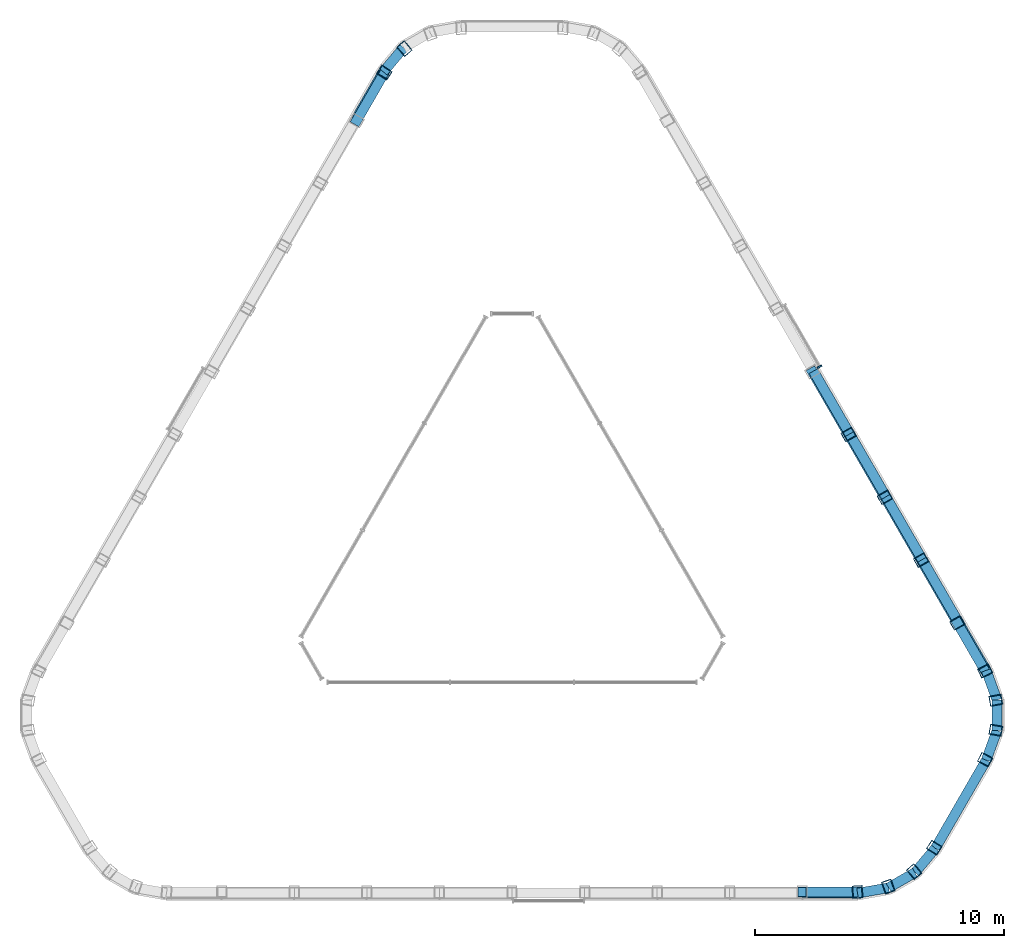
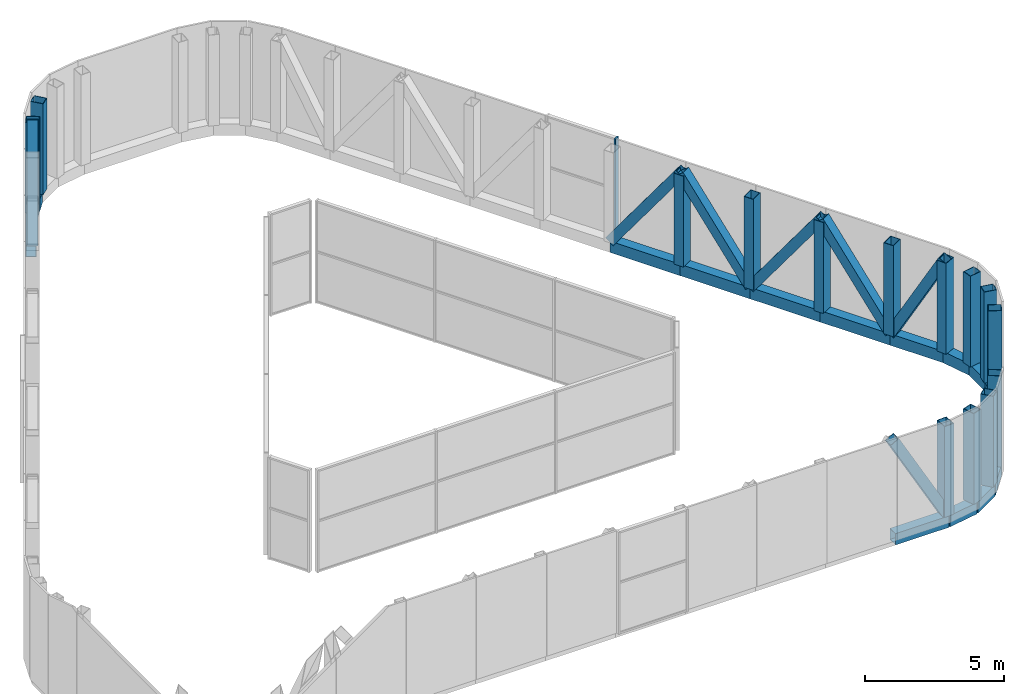
# One storey, part 3 of 5: 37 members, 1 element without a shape of its own.
"""IFC4 building model written with IfcOpenShell, lengths in metres."""

from ifc_helpers import new_model, si_unit, direction, frame, origin, origin_2d, place, context, subcontext, project, spatial, rectangle, hollow_rectangle, extrude, material, layer, layer_set, material_profile, profile_set, type_object, element, aggregate, save


model = new_model("IFC4")

# Units and contexts
model_context = context("Model", 3, precision=1e-05, world=origin(), true_north=direction((0.0, 1.0)))
body_context = subcontext(model_context, "Body", "Model", "MODEL_VIEW")
ifc_project = project(units=[si_unit("LENGTHUNIT", "METRE"), si_unit("AREAUNIT", "SQUARE_METRE"), si_unit("VOLUMEUNIT", "CUBIC_METRE"), si_unit("PLANEANGLEUNIT", "RADIAN"), si_unit("MASSUNIT", "GRAM", prefix="KILO")], contexts=[model_context])

# Site, building, storey
site_placement = place(None, origin())
site = spatial("IfcSite", under=ifc_project, at=site_placement, CompositionType="ELEMENT")
building_placement = place(site_placement, origin())
building = spatial("IfcBuilding", under=site, at=building_placement, Name="Apuvela Tower Hotel", CompositionType="ELEMENT")
storey_placement = place(building_placement, frame((0.0, 0.0, 357.800048828125)))
storey = spatial("IfcBuildingStorey", under=building, at=storey_placement, Name="R-4 ROOF", CompositionType="ELEMENT", Elevation=357.800048828125)

# Members
ifc_material_1 = material(Name="Steel S355, black paint system", Category="steel")
ifc_material_profile_1 = material_profile(ifc_material_1, hollow_rectangle(XDim=0.39990234375, YDim=0.39990234375, WallThickness=0.01611328125, at=origin_2d()), Name="HSS 400x400x16")
ifc_profile_set_1 = profile_set([ifc_material_profile_1], Name="Steel S355, black paint system")
member_type_1 = type_object("IfcMemberType", Name="ENV-CROWN-BRACE-400x400", PredefinedType="BRACE", material=ifc_profile_set_1)
member_1_placement = place(storey_placement, frame((-6.236572265625, 17.050537109375, 0.25), z_axis=(0.242948815269, 0.420705831623, 0.874060911148), x_axis=(-0.865977099567, 0.500083656027, 0.0)))
element("IfcMember", 1, at=member_1_placement, inside=storey, type_object=member_type_1, Name="Crown frame brace 7", PredefinedType="BRACE", context=body_context, shape_type="SweptSolid", body=[
    extrude(hollow_rectangle(XDim=0.39990234375, YDim=0.39990234375, WallThickness=0.01611328125, at=origin_2d()), origin(), (0.0, 0.0, 1.0), 4.576416015625),
])
member_2_placement = place(storey_placement, frame((13.87109375, -13.92626953125, 0.25), z_axis=(-0.485796931429, 0.0, 0.874071702673), x_axis=(0.0, -1.0, 0.0)))
element("IfcMember", 2, at=member_2_placement, inside=storey, type_object=member_type_1, Name="Crown frame brace 33", PredefinedType="BRACE", context=body_context, shape_type="SweptSolid", body=[
    extrude(hollow_rectangle(XDim=0.39990234375, YDim=0.39990234375, WallThickness=0.01611328125, at=origin_2d()), origin(), (0.0, 0.0, 1.0), 4.576171875),
])
member_3_placement = place(storey_placement, frame((17.884521484375, -3.124267578125, 0.25), z_axis=(0.242893162774, -0.420755188842, 0.874052620006), x_axis=(0.866052104262, 0.499953750565, 0.0)))
element("IfcMember", 3, at=member_3_placement, inside=storey, type_object=member_type_1, Name="Crown frame brace 41", PredefinedType="BRACE", context=body_context, shape_type="SweptSolid", body=[
    extrude(hollow_rectangle(XDim=0.39990234375, YDim=0.39990234375, WallThickness=0.01611328125, at=origin_2d()), origin(), (0.0, 0.0, 1.0), 4.576416015625),
])
for number, where, z_axis, x_axis, name in (
    (4, (17.884521484375, -3.124267578125, 0.25), (-0.294284958722, 0.509718917438, 0.80844479606), (-0.866026430432, -0.49999822179, 0.0), "Crown frame brace 42"),
    (5, (14.972412109375, 1.91943359375, 0.25), (0.294292360305, -0.509682392621, 0.808465129315), (0.866005469285, 0.500034525977, 0.0), "Crown frame brace 43"),
    (6, (14.972412109375, 1.91943359375, 0.25), (-0.294292360305, 0.509682392621, 0.808465129315), (-0.866005469285, -0.500034525977, 0.0), "Crown frame brace 44"),
    (7, (12.060302734375, 6.963134765625, 0.25), (0.294284958722, -0.509718917438, 0.80844479606), (0.866026430432, 0.49999822179, 0.0), "Crown frame brace 45"),
):
    element("IfcMember", number, at=place(storey_placement, frame(where, z_axis=z_axis, x_axis=x_axis)), inside=storey, type_object=member_type_1, Name=name, PredefinedType="BRACE", context=body_context, shape_type="SweptSolid", body=[
        extrude(hollow_rectangle(XDim=0.39990234375, YDim=0.39990234375, WallThickness=0.01611328125, at=origin_2d()), origin(), (0.0, 0.0, 1.0), 4.94775390625),
    ])
ifc_material_profile_2 = material_profile(ifc_material_1, hollow_rectangle(XDim=0.39990234375, YDim=0.5, WallThickness=0.02001953125, at=origin_2d()), Name="HSS 500x400x20")
ifc_profile_set_2 = profile_set([ifc_material_profile_2], Name="Steel S355, black paint system")
member_type_2 = type_object("IfcMemberType", Name="ENV-CROWN-POST-500x400", PredefinedType="POST", material=ifc_profile_set_2)
for number, where, z_axis, x_axis, name in (
    (8, (-4.318115234375, 19.9375, 0.25), (0.0, 0.0, 1.0), (-0.763579690807, -0.645713601984, 0.0), "Crown frame post 6"),
    (9, (-5.124755859375, 18.975830078125, 0.25), (0.0, 0.0, 1.0), (-0.553467140498, -0.832871013056, 0.0), "Crown frame post 7"),
    (10, (13.87109375, -13.92626953125, 0.25), (0.0, 0.0, 1.0), (0.998021025631, 0.062881097303, 0.0), "Crown frame post 34"),
    (11, (15.107421875, -13.708251953125, 0.25), (0.0, 0.0, 1.0), (0.940994228291, 0.33842260906, 0.0), "Crown frame post 35"),
    (12, (16.148193359375, -13.107421875, 0.25), (0.0, 0.0, 1.0), (0.763579690807, 0.645713601984, 0.0), "Crown frame post 36"),
    (13, (16.955078125, -12.145751953125, 0.25), (0.0, 0.0, 1.0), (0.535045541825, 0.844823217113, 0.0), "Crown frame post 37"),
    (14, (18.99609375, -8.610595703125, 0.25), (0.0, 0.0, 1.0), (0.464115596815, 0.885774639958, 0.0), "Crown frame post 38"),
    (15, (19.42529296875, -7.43115234375, 0.25), (0.0, 0.0, 1.0), (0.177414537484, 0.984136211045, 0.0), "Crown frame post 39"),
    (16, (19.42529296875, -6.229248046875, 0.25), (0.0, 0.0, 1.0), (-0.177414537484, 0.984136211045, 0.0), "Crown frame post 40"),
    (17, (18.99609375, -5.0498046875, 0.25), (0.0, 0.0, 1.0), (-0.444553885133, 0.895752110359, 0.0), "Crown frame post 41"),
    (18, (17.884521484375, -3.124267578125, 0.25), (0.0, 0.0, 1.0), (-0.5, 0.866025403784, 0.0), "Crown frame post 42"),
    (19, (16.428466796875, -0.602294921875, 0.25), (0.0, 0.0, 1.0), (-0.5, 0.866025403784, 0.0), "Crown frame post 43"),
    (20, (14.972412109375, 1.91943359375, 0.25), (0.0, 0.0, 1.0), (-0.5, 0.866025403784, 0.0), "Crown frame post 44"),
    (21, (13.516357421875, 4.441162109375, 0.25), (0.0, 0.0, 1.0), (-0.5, 0.866025403784, 0.0), "Crown frame post 45"),
):
    element("IfcMember", number, at=place(storey_placement, frame(where, z_axis=z_axis, x_axis=x_axis)), inside=storey, type_object=member_type_2, Name=name, PredefinedType="POST", context=body_context, shape_type="SweptSolid", body=[
        extrude(hollow_rectangle(XDim=0.39990234375, YDim=0.5, WallThickness=0.02001953125, at=origin_2d()), origin(), (0.0, 0.0, 1.0), 4.0),
    ])
ifc_material_profile_3 = material_profile(ifc_material_1, hollow_rectangle(XDim=0.39990234375, YDim=0.5, WallThickness=0.01611328125, at=origin_2d()), Name="HSS 500x400x16")
ifc_profile_set_3 = profile_set([ifc_material_profile_3], Name="Steel S355, black paint system")
member_type_3 = type_object("IfcMemberType", Name="ENV-CROWN-RING-500x400", PredefinedType="STRINGER", material=ifc_profile_set_3)
member_4_placement = place(storey_placement, frame((-4.3505859375, 19.976318359375, 0.0), z_axis=(-0.642830918567, -0.766008100567, 0.0), x_axis=(0.766008100567, -0.642830918567, 0.0)))
element("IfcMember", 22, at=member_4_placement, inside=storey, type_object=member_type_3, Name="Crown frame ring beam 4.6", PredefinedType="STRINGER", context=body_context, shape_type="SweptSolid", body=[
    extrude(hollow_rectangle(XDim=0.39990234375, YDim=0.5, WallThickness=0.01611328125, at=origin_2d()), origin(), (0.0, 0.0, 1.0), 1.2685546875),
])
for number, where, z_axis, x_axis, name in (
    (23, (-5.166015625, 19.004638671875, 0.0), (-0.499941024108, -0.866059450854, 0.0), (0.866059450854, -0.499941024108, 0.0), "Crown frame ring beam 4.7"),
    (24, (11.651611328125, -13.976318359375, 0.0), (1.0, 0.0, 0.0), (0.0, 1.0, 0.0), "Crown frame ring beam 4.33"),
):
    element("IfcMember", number, at=place(storey_placement, frame(where, z_axis=z_axis, x_axis=x_axis)), inside=storey, type_object=member_type_3, Name=name, PredefinedType="STRINGER", context=body_context, shape_type="SweptSolid", body=[
        extrude(hollow_rectangle(XDim=0.39990234375, YDim=0.5, WallThickness=0.01611328125, at=origin_2d()), origin(), (0.0, 0.0, 1.0), 2.223876953125),
    ])
member_5_placement = place(storey_placement, frame((13.87548828125, -13.976318359375, 0.0), z_axis=(0.984783558818, 0.173785333909, 0.0), x_axis=(-0.173785333909, 0.984783558818, 0.0)))
element("IfcMember", 25, at=member_5_placement, inside=storey, type_object=member_type_3, Name="Crown frame ring beam 4.34", PredefinedType="STRINGER", context=body_context, shape_type="SweptSolid", body=[
    extrude(hollow_rectangle(XDim=0.39990234375, YDim=0.5, WallThickness=0.01611328125, at=origin_2d()), origin(), (0.0, 0.0, 1.0), 1.2685546875),
])
member_6_placement = place(storey_placement, frame((15.124755859375, -13.755859375, 0.0), z_axis=(0.866078909804, 0.499907313403, 0.0), x_axis=(-0.499907313403, 0.866078909804, 0.0)))
element("IfcMember", 26, at=member_6_placement, inside=storey, type_object=member_type_3, Name="Crown frame ring beam 4.35", PredefinedType="STRINGER", context=body_context, shape_type="SweptSolid", body=[
    extrude(hollow_rectangle(XDim=0.39990234375, YDim=0.5, WallThickness=0.01611328125, at=origin_2d()), origin(), (0.0, 0.0, 1.0), 1.219482421875),
])
member_7_placement = place(storey_placement, frame((16.180908203125, -13.146240234375, 0.0), z_axis=(0.642717965607, 0.766102876046, 0.0), x_axis=(-0.766102876046, 0.642717965607, 0.0)))
element("IfcMember", 27, at=member_7_placement, inside=storey, type_object=member_type_3, Name="Crown frame ring beam 4.36", PredefinedType="STRINGER", context=body_context, shape_type="SweptSolid", body=[
    extrude(hollow_rectangle(XDim=0.39990234375, YDim=0.5, WallThickness=0.01611328125, at=origin_2d()), origin(), (0.0, 0.0, 1.0), 1.268310546875),
])
member_8_placement = place(storey_placement, frame((16.99609375, -12.174560546875, 0.0), z_axis=(0.500003144135, 0.86602358851, 0.0), x_axis=(-0.86602358851, 0.500003144135, 0.0)))
element("IfcMember", 28, at=member_8_placement, inside=storey, type_object=member_type_3, Name="Crown frame ring beam 4.37", PredefinedType="STRINGER", context=body_context, shape_type="SweptSolid", body=[
    extrude(hollow_rectangle(XDim=0.39990234375, YDim=0.5, WallThickness=0.01611328125, at=origin_2d()), origin(), (0.0, 0.0, 1.0), 4.0908203125),
])
member_9_placement = place(storey_placement, frame((19.04150390625, -8.6318359375, 0.0), z_axis=(0.34203668354, 0.939686600475, 0.0), x_axis=(-0.939686600475, 0.34203668354, 0.0)))
element("IfcMember", 29, at=member_9_placement, inside=storey, type_object=member_type_3, Name="Crown frame ring beam 4.38", PredefinedType="STRINGER", context=body_context, shape_type="SweptSolid", body=[
    extrude(hollow_rectangle(XDim=0.39990234375, YDim=0.5, WallThickness=0.01611328125, at=origin_2d()), origin(), (0.0, 0.0, 1.0), 1.268310546875),
])
member_10_placement = place(storey_placement, frame((19.475341796875, -7.43994140625, 0.0), z_axis=(0.0, 1.0, 0.0), x_axis=(-1.0, 0.0, 0.0)))
element("IfcMember", 30, at=member_10_placement, inside=storey, type_object=member_type_3, Name="Crown frame ring beam 4.39", PredefinedType="STRINGER", context=body_context, shape_type="SweptSolid", body=[
    extrude(hollow_rectangle(XDim=0.39990234375, YDim=0.5, WallThickness=0.01611328125, at=origin_2d()), origin(), (0.0, 0.0, 1.0), 1.219482421875),
])
member_11_placement = place(storey_placement, frame((19.475341796875, -6.220458984375, 0.0), z_axis=(-0.34203668354, 0.939686600475, 0.0), x_axis=(-0.939686600475, -0.34203668354, 0.0)))
element("IfcMember", 31, at=member_11_placement, inside=storey, type_object=member_type_3, Name="Crown frame ring beam 4.40", PredefinedType="STRINGER", context=body_context, shape_type="SweptSolid", body=[
    extrude(hollow_rectangle(XDim=0.39990234375, YDim=0.5, WallThickness=0.01611328125, at=origin_2d()), origin(), (0.0, 0.0, 1.0), 1.268310546875),
])
member_12_placement = place(storey_placement, frame((19.04150390625, -5.028564453125, 0.0), z_axis=(-0.500023359282, 0.866011916877, 0.0), x_axis=(-0.866011916877, -0.500023359282, 0.0)))
element("IfcMember", 32, at=member_12_placement, inside=storey, type_object=member_type_3, Name="Crown frame ring beam 4.41", PredefinedType="STRINGER", context=body_context, shape_type="SweptSolid", body=[
    extrude(hollow_rectangle(XDim=0.39990234375, YDim=0.5, WallThickness=0.01611328125, at=origin_2d()), origin(), (0.0, 0.0, 1.0), 2.22412109375),
])
member_13_placement = place(storey_placement, frame((17.929443359375, -3.1025390625, 0.0), z_axis=(-0.499952204256, 0.866052996912, 0.0), x_axis=(-0.866052996912, -0.499952204256, 0.0)))
element("IfcMember", 33, at=member_13_placement, inside=storey, type_object=member_type_3, Name="Crown frame ring beam 4.42", PredefinedType="STRINGER", context=body_context, shape_type="SweptSolid", body=[
    extrude(hollow_rectangle(XDim=0.39990234375, YDim=0.5, WallThickness=0.01611328125, at=origin_2d()), origin(), (0.0, 0.0, 1.0), 2.912841796875),
])
member_14_placement = place(storey_placement, frame((16.47314453125, -0.579833984375, 0.0), z_axis=(-0.500015065024, 0.866016705814, 0.0), x_axis=(-0.866016705814, -0.500015065024, 0.0)))
element("IfcMember", 34, at=member_14_placement, inside=storey, type_object=member_type_3, Name="Crown frame ring beam 4.43", PredefinedType="STRINGER", context=body_context, shape_type="SweptSolid", body=[
    extrude(hollow_rectangle(XDim=0.39990234375, YDim=0.5, WallThickness=0.01611328125, at=origin_2d()), origin(), (0.0, 0.0, 1.0), 2.9130859375),
])
member_15_placement = place(storey_placement, frame((15.0166015625, 1.94287109375, 0.0), z_axis=(-0.499988496788, 0.866032045065, 0.0), x_axis=(-0.866032045065, -0.499988496788, 0.0)))
element("IfcMember", 35, at=member_15_placement, inside=storey, type_object=member_type_3, Name="Crown frame ring beam 4.44", PredefinedType="STRINGER", context=body_context, shape_type="SweptSolid", body=[
    extrude(hollow_rectangle(XDim=0.39990234375, YDim=0.5, WallThickness=0.01611328125, at=origin_2d()), origin(), (0.0, 0.0, 1.0), 2.91259765625),
])
member_16_placement = place(storey_placement, frame((13.560302734375, 4.46533203125, 0.0), z_axis=(-0.500015065024, 0.866016705814, 0.0), x_axis=(-0.866016705814, -0.500015065024, 0.0)))
element("IfcMember", 36, at=member_16_placement, inside=storey, type_object=member_type_3, Name="Crown frame ring beam 4.45", PredefinedType="STRINGER", context=body_context, shape_type="SweptSolid", body=[
    extrude(hollow_rectangle(XDim=0.39990234375, YDim=0.5, WallThickness=0.01611328125, at=origin_2d()), origin(), (0.0, 0.0, 1.0), 2.9130859375),
])

# Curtain wall, member
ifc_material_2 = material(Name="Aluminium 6063-T6, dark bronze anodised", Category="aluminium")
ifc_layer = layer(ifc_material_2, 0.199951171875)
ifc_layer_set = layer_set([ifc_layer], Name="ENV-CW-C")
curtain_wall_type = type_object("IfcCurtainWallType", Name="ENV-CW-C", PredefinedType="NOTDEFINED", material=ifc_layer_set)
curtain_wall_placement = place(storey_placement, origin())
curtain_wall = element("IfcCurtainWall", 37, at=curtain_wall_placement, inside=storey, type_object=curtain_wall_type, Name="Crown glazing 46 R-4 ROOF", PredefinedType="NOTDEFINED")
ifc_material_profile_4 = material_profile(ifc_material_2, rectangle(XDim=0.199951171875, YDim=0.06494140625, at=origin_2d()), Name="AL 65x200")
ifc_profile_set_4 = profile_set([ifc_material_profile_4], Name="Aluminium 6063-T6, dark bronze anodised")
member_type_4 = type_object("IfcMemberType", Name="ENV-MULLION-65x200", PredefinedType="MULLION", material=ifc_profile_set_4)
member_17_placement = place(storey_placement, frame((12.347412109375, 7.166259765625, 0.0), z_axis=(0.0, 0.0, 1.0), x_axis=(-0.866021760657, -0.500006310028, 0.0)))
member_17 = element("IfcMember", 38, at=member_17_placement, type_object=member_type_4, Name="CW-C mullion 1", PredefinedType="MULLION", context=body_context, shape_type="SweptSolid", body=[
    extrude(rectangle(XDim=0.199951171875, YDim=0.06494140625, at=origin_2d()), origin(), (0.0, 0.0, 1.0), 4.5),
])
aggregate(curtain_wall, [member_17])

save(model, "model.ifc")
